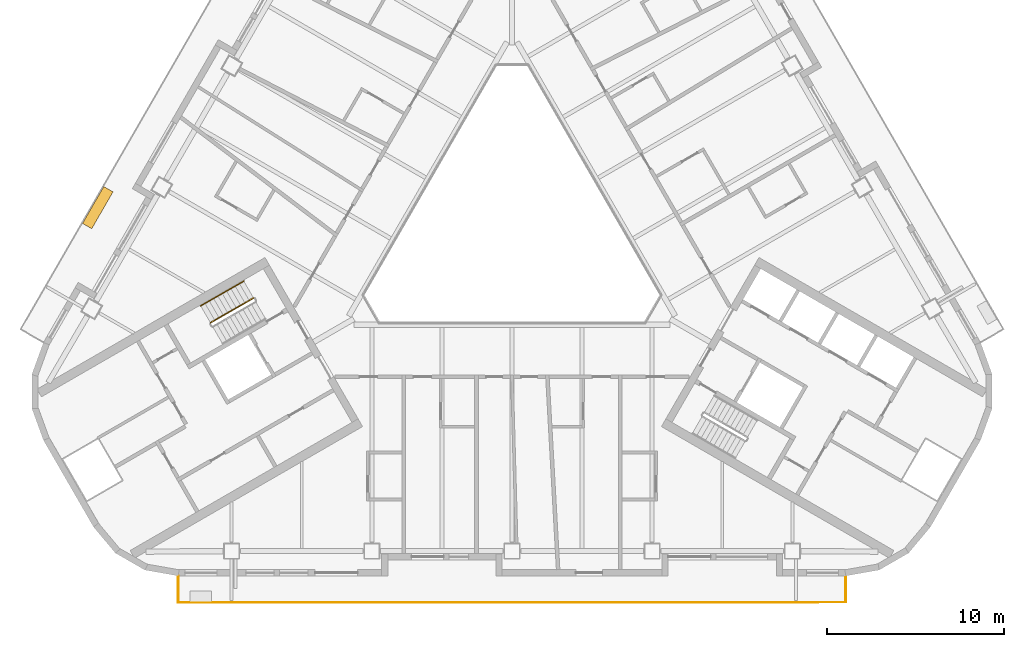
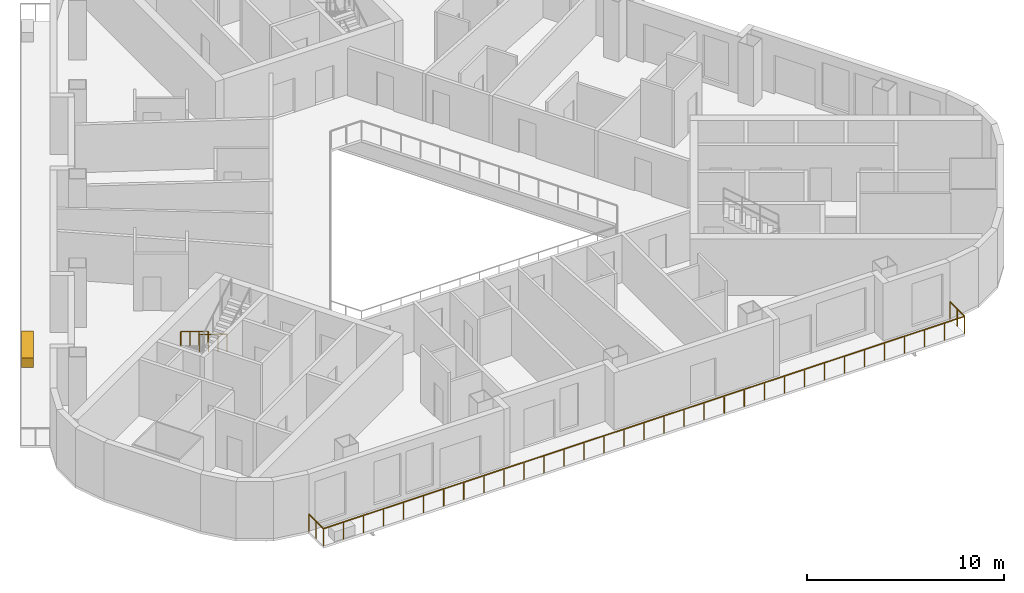
# One storey, part 10 of 14: 3 railings, 1 covering.
"""IFC4 building model written with IfcOpenShell, lengths in metres."""

from ifc_helpers import new_model, si_unit, direction, frame, origin, origin_2d, place, context, subcontext, project, spatial, rectangle, circle, extrude, material, type_object, element, save


model = new_model("IFC4")

# Units and contexts
model_context = context("Model", 3, precision=1e-05, world=origin(), true_north=direction((0.0, 1.0)))
body_context = subcontext(model_context, "Body", "Model", "MODEL_VIEW")
ifc_project = project(units=[si_unit("LENGTHUNIT", "METRE"), si_unit("AREAUNIT", "SQUARE_METRE"), si_unit("VOLUMEUNIT", "CUBIC_METRE"), si_unit("PLANEANGLEUNIT", "RADIAN"), si_unit("MASSUNIT", "GRAM", prefix="KILO")], contexts=[model_context])

# Site, building, storey
site_placement = place(None, origin())
site = spatial("IfcSite", under=ifc_project, at=site_placement, CompositionType="ELEMENT")
building_placement = place(site_placement, origin())
building = spatial("IfcBuilding", under=site, at=building_placement, Name="Apuvela Tower Hotel", CompositionType="ELEMENT")
storey_placement = place(building_placement, frame((0.0, 0.0, 87.199951171875)))
storey = spatial("IfcBuildingStorey", under=building, at=storey_placement, Name="L19", CompositionType="ELEMENT", Elevation=87.199951171875)

# Railings
ifc_material_1 = material(Name="Steel S275 balustrade", Category="steel")
railing_type_1 = type_object("IfcRailingType", Name="COR-GUARD-1100", PredefinedType="GUARDRAIL", material=ifc_material_1)
railing_1_placement = place(storey_placement, frame((-14.569091796875, -3.9658203125, 0.168212890625)))
element("IfcRailing", 1, at=railing_1_placement, inside=storey, type_object=railing_type_1, Name="L19 ST2 stair guard 1", PredefinedType="GUARDRAIL", context=body_context, shape_type="SweptSolid", body=[
    extrude(rectangle(XDim=0.048095703125, YDim=0.048095703125, at=origin_2d()), frame((0.0, 0.0, 1.076171875), z_axis=(-0.742390482028, -0.42860119049, 0.514934356695), x_axis=(0.49998411664, -0.866034573852, 0.0)), (0.0, 0.0, 1.0), 3.26611328125),
    extrude(rectangle(XDim=0.0419921875, YDim=0.0419921875, at=origin_2d()), origin(), (0.0, 0.0, 1.0), 1.052001953125),
    extrude(rectangle(XDim=0.0419921875, YDim=0.0419921875, at=origin_2d()), frame((-0.808349609375, -0.466552734375, 0.560546875)), (0.0, 0.0, 1.0), 1.052001953125),
    extrude(rectangle(XDim=0.0419921875, YDim=0.0419921875, at=origin_2d()), frame((-1.616455078125, -0.933349609375, 1.121337890625)), (0.0, 0.0, 1.0), 1.052001953125),
    extrude(rectangle(XDim=0.0419921875, YDim=0.0419921875, at=origin_2d()), frame((-2.4248046875, -1.39990234375, 1.681884765625)), (0.0, 0.0, 1.0), 1.052001953125),
])
ifc_material_2 = material(Name="Stainless steel 316 handrail", Category="steel")
railing_type_2 = type_object("IfcRailingType", Name="COR-HANDRAIL-900", PredefinedType="HANDRAIL", material=ifc_material_2)
railing_2_placement = place(storey_placement, frame((-15.118896484375, -3.01318359375, 0.168212890625)))
element("IfcRailing", 2, at=railing_2_placement, inside=storey, type_object=railing_type_2, Name="L19 ST2 stair handrail 1", PredefinedType="HANDRAIL", context=body_context, shape_type="SweptSolid", body=[
    extrude(circle(Radius=0.02392578125, at=origin_2d()), frame((0.0, 0.0, 0.8759765625), z_axis=(-0.742424030051, -0.428577407461, 0.514905783049), x_axis=(0.49994636267, -0.866056369097, 0.0)), (0.0, 0.0, 1.0), 3.266357421875),
    extrude(rectangle(XDim=0.0419921875, YDim=0.0419921875, at=origin_2d()), origin(), (0.0, 0.0, 1.0), 0.851806640625),
    extrude(rectangle(XDim=0.0419921875, YDim=0.0419921875, at=origin_2d()), frame((-0.808349609375, -0.466552734375, 0.560546875)), (0.0, 0.0, 1.0), 0.851806640625),
    extrude(rectangle(XDim=0.0419921875, YDim=0.0419921875, at=origin_2d()), frame((-1.61669921875, -0.933349609375, 1.121337890625)), (0.0, 0.0, 1.0), 0.851806640625),
    extrude(rectangle(XDim=0.0419921875, YDim=0.0419921875, at=origin_2d()), frame((-2.425048828125, -1.39990234375, 1.681884765625)), (0.0, 0.0, 1.0), 0.851806640625),
])
ifc_material_3 = material(Name="Stainless steel 316 rail with laminated glass infill", Category="steel")
railing_type_3 = type_object("IfcRailingType", Name="ENV-GUARD-1100", PredefinedType="GUARDRAIL", material=ifc_material_3)
railing_3_placement = place(storey_placement, frame((-18.81591796875, -19.6298828125, 0.0)))
element("IfcRailing", 3, at=railing_3_placement, inside=storey, type_object=railing_type_3, Name="Balcony guard S L19", PredefinedType="GUARDRAIL", context=body_context, shape_type="SweptSolid", body=[
    extrude(rectangle(XDim=0.050048828125, YDim=0.050048828125, at=origin_2d()), frame((0.0, 0.0, 1.0751953125), z_axis=(0.0, -1.0, 0.0), x_axis=(1.0, 0.0, 0.0)), (0.0, 0.0, 1.0), 1.5),
    extrude(rectangle(XDim=0.050048828125, YDim=0.050048828125, at=origin_2d()), frame((0.0, -1.5, 1.0751953125), z_axis=(1.0, 0.0, 0.0), x_axis=(0.0, 1.0, 0.0)), (0.0, 0.0, 1.0), 37.6318359375),
    extrude(rectangle(XDim=0.050048828125, YDim=0.050048828125, at=origin_2d()), frame((37.6318359375, -1.5, 1.0751953125), z_axis=(0.0, 1.0, 0.0), x_axis=(-1.0, 0.0, 0.0)), (0.0, 0.0, 1.0), 1.5),
    extrude(rectangle(XDim=0.0400390625, YDim=0.0400390625, at=origin_2d()), origin(), (0.0, 0.0, 1.0), 1.050048828125),
    extrude(rectangle(XDim=0.0400390625, YDim=0.0400390625, at=origin_2d()), frame((0.0, -0.75, 0.0)), (0.0, 0.0, 1.0), 1.050048828125),
    extrude(rectangle(XDim=0.0400390625, YDim=0.0400390625, at=origin_2d()), frame((0.0, -1.5, 0.0)), (0.0, 0.0, 1.0), 1.050048828125),
    extrude(rectangle(XDim=0.0400390625, YDim=0.0400390625, at=origin_2d()), frame((1.176025390625, -1.5, 0.0)), (0.0, 0.0, 1.0), 1.050048828125),
    extrude(rectangle(XDim=0.0400390625, YDim=0.0400390625, at=origin_2d()), frame((2.35205078125, -1.5, 0.0)), (0.0, 0.0, 1.0), 1.050048828125),
    extrude(rectangle(XDim=0.0400390625, YDim=0.0400390625, at=origin_2d()), frame((3.528076171875, -1.5, 0.0)), (0.0, 0.0, 1.0), 1.050048828125),
    extrude(rectangle(XDim=0.0400390625, YDim=0.0400390625, at=origin_2d()), frame((4.7041015625, -1.5, 0.0)), (0.0, 0.0, 1.0), 1.050048828125),
    extrude(rectangle(XDim=0.0400390625, YDim=0.0400390625, at=origin_2d()), frame((5.8798828125, -1.5, 0.0)), (0.0, 0.0, 1.0), 1.050048828125),
    extrude(rectangle(XDim=0.0400390625, YDim=0.0400390625, at=origin_2d()), frame((7.055908203125, -1.5, 0.0)), (0.0, 0.0, 1.0), 1.050048828125),
    extrude(rectangle(XDim=0.0400390625, YDim=0.0400390625, at=origin_2d()), frame((8.23193359375, -1.5, 0.0)), (0.0, 0.0, 1.0), 1.050048828125),
    extrude(rectangle(XDim=0.0400390625, YDim=0.0400390625, at=origin_2d()), frame((9.407958984375, -1.5, 0.0)), (0.0, 0.0, 1.0), 1.050048828125),
    extrude(rectangle(XDim=0.0400390625, YDim=0.0400390625, at=origin_2d()), frame((10.583984375, -1.5, 0.0)), (0.0, 0.0, 1.0), 1.050048828125),
    extrude(rectangle(XDim=0.0400390625, YDim=0.0400390625, at=origin_2d()), frame((11.760009765625, -1.5, 0.0)), (0.0, 0.0, 1.0), 1.050048828125),
    extrude(rectangle(XDim=0.0400390625, YDim=0.0400390625, at=origin_2d()), frame((12.93603515625, -1.5, 0.0)), (0.0, 0.0, 1.0), 1.050048828125),
    extrude(rectangle(XDim=0.0400390625, YDim=0.0400390625, at=origin_2d()), frame((14.11181640625, -1.5, 0.0)), (0.0, 0.0, 1.0), 1.050048828125),
    extrude(rectangle(XDim=0.0400390625, YDim=0.0400390625, at=origin_2d()), frame((15.287841796875, -1.5, 0.0)), (0.0, 0.0, 1.0), 1.050048828125),
    extrude(rectangle(XDim=0.0400390625, YDim=0.0400390625, at=origin_2d()), frame((16.4638671875, -1.5, 0.0)), (0.0, 0.0, 1.0), 1.050048828125),
    extrude(rectangle(XDim=0.0400390625, YDim=0.0400390625, at=origin_2d()), frame((17.639892578125, -1.5, 0.0)), (0.0, 0.0, 1.0), 1.050048828125),
    extrude(rectangle(XDim=0.0400390625, YDim=0.0400390625, at=origin_2d()), frame((18.81591796875, -1.5, 0.0)), (0.0, 0.0, 1.0), 1.050048828125),
    extrude(rectangle(XDim=0.0400390625, YDim=0.0400390625, at=origin_2d()), frame((19.991943359375, -1.5, 0.0)), (0.0, 0.0, 1.0), 1.050048828125),
    extrude(rectangle(XDim=0.0400390625, YDim=0.0400390625, at=origin_2d()), frame((21.16796875, -1.5, 0.0)), (0.0, 0.0, 1.0), 1.050048828125),
    extrude(rectangle(XDim=0.0400390625, YDim=0.0400390625, at=origin_2d()), frame((22.343994140625, -1.5, 0.0)), (0.0, 0.0, 1.0), 1.050048828125),
    extrude(rectangle(XDim=0.0400390625, YDim=0.0400390625, at=origin_2d()), frame((23.52001953125, -1.5, 0.0)), (0.0, 0.0, 1.0), 1.050048828125),
    extrude(rectangle(XDim=0.0400390625, YDim=0.0400390625, at=origin_2d()), frame((24.69580078125, -1.5, 0.0)), (0.0, 0.0, 1.0), 1.050048828125),
    extrude(rectangle(XDim=0.0400390625, YDim=0.0400390625, at=origin_2d()), frame((25.871826171875, -1.5, 0.0)), (0.0, 0.0, 1.0), 1.050048828125),
    extrude(rectangle(XDim=0.0400390625, YDim=0.0400390625, at=origin_2d()), frame((27.0478515625, -1.5, 0.0)), (0.0, 0.0, 1.0), 1.050048828125),
    extrude(rectangle(XDim=0.0400390625, YDim=0.0400390625, at=origin_2d()), frame((28.223876953125, -1.5, 0.0)), (0.0, 0.0, 1.0), 1.050048828125),
    extrude(rectangle(XDim=0.0400390625, YDim=0.0400390625, at=origin_2d()), frame((29.39990234375, -1.5, 0.0)), (0.0, 0.0, 1.0), 1.050048828125),
    extrude(rectangle(XDim=0.0400390625, YDim=0.0400390625, at=origin_2d()), frame((30.575927734375, -1.5, 0.0)), (0.0, 0.0, 1.0), 1.050048828125),
    extrude(rectangle(XDim=0.0400390625, YDim=0.0400390625, at=origin_2d()), frame((31.751953125, -1.5, 0.0)), (0.0, 0.0, 1.0), 1.050048828125),
    extrude(rectangle(XDim=0.0400390625, YDim=0.0400390625, at=origin_2d()), frame((32.927734375, -1.5, 0.0)), (0.0, 0.0, 1.0), 1.050048828125),
    extrude(rectangle(XDim=0.0400390625, YDim=0.0400390625, at=origin_2d()), frame((34.103759765625, -1.5, 0.0)), (0.0, 0.0, 1.0), 1.050048828125),
    extrude(rectangle(XDim=0.0400390625, YDim=0.0400390625, at=origin_2d()), frame((35.27978515625, -1.5, 0.0)), (0.0, 0.0, 1.0), 1.050048828125),
    extrude(rectangle(XDim=0.0400390625, YDim=0.0400390625, at=origin_2d()), frame((36.455810546875, -1.5, 0.0)), (0.0, 0.0, 1.0), 1.050048828125),
    extrude(rectangle(XDim=0.0400390625, YDim=0.0400390625, at=origin_2d()), frame((37.6318359375, -1.5, 0.0)), (0.0, 0.0, 1.0), 1.050048828125),
    extrude(rectangle(XDim=0.0400390625, YDim=0.0400390625, at=origin_2d()), frame((37.6318359375, -0.75, 0.0)), (0.0, 0.0, 1.0), 1.050048828125),
    extrude(rectangle(XDim=0.0400390625, YDim=0.0400390625, at=origin_2d()), frame((37.6318359375, 0.0, 0.0)), (0.0, 0.0, 1.0), 1.050048828125),
])

# Covering
ifc_material_4 = material(Name="Planting substrate and soil, planted")
covering_type = type_object("IfcCoveringType", Name="ENV-PLANTER-2400x600", PredefinedType="USERDEFINED", material=ifc_material_4)
covering_placement = place(storey_placement, frame((-23.345947265625, 1.12353515625, 0.0), z_axis=(0.0, 0.0, 1.0), x_axis=(-0.5, -0.866025403784, 0.0)))
element("IfcCovering", 4, at=covering_placement, inside=storey, type_object=covering_type, Name="Planter NW4", ObjectType="PLANTER", PredefinedType="USERDEFINED", context=body_context, shape_type="SweptSolid", body=[
    extrude(rectangle(XDim=2.39990234375, YDim=0.60009765625, at=origin_2d()), origin(), (0.0, 0.0, 1.0), 0.60009765625),
])

save(model, "model.ifc")
